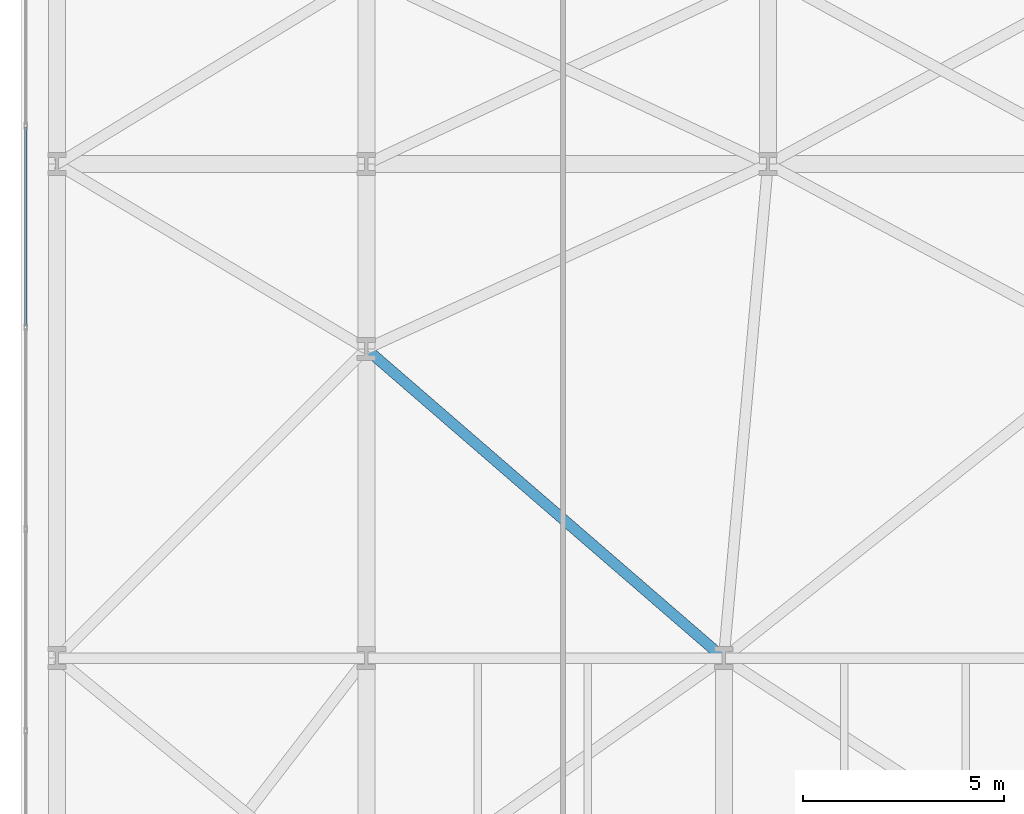
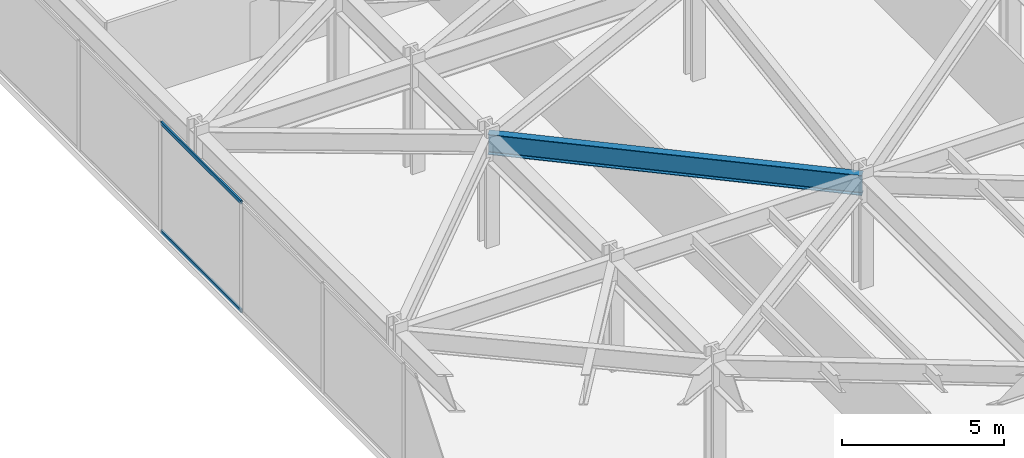
# One storey, part 9 of 30: 2 members, 1 beam, 1 element without a shape of its own.
"""IFC4 building model written with IfcOpenShell, lengths in metres."""

from ifc_helpers import new_model, si_unit, direction, frame, origin, origin_2d, place, context, subcontext, project, spatial, hollow_rectangle, i_section, extrude, material, layer, layer_set, material_profile, profile_set, type_object, element, aggregate, save


model = new_model("IFC4")

# Units and contexts
model_context = context("Model", 3, precision=1e-05, world=origin(), true_north=direction((0.0, 1.0)))
body_context = subcontext(model_context, "Body", "Model", "MODEL_VIEW")
ifc_project = project(units=[si_unit("LENGTHUNIT", "METRE"), si_unit("AREAUNIT", "SQUARE_METRE"), si_unit("VOLUMEUNIT", "CUBIC_METRE"), si_unit("PLANEANGLEUNIT", "RADIAN"), si_unit("MASSUNIT", "GRAM", prefix="KILO")], contexts=[model_context])

# Site, building, storey
site_placement = place(None, origin())
site = spatial("IfcSite", under=ifc_project, at=site_placement, CompositionType="ELEMENT")
building_placement = place(site_placement, origin())
building = spatial("IfcBuilding", under=site, at=building_placement, Name="Kravanh Interchange Tower", CompositionType="ELEMENT")
storey_placement = place(building_placement, frame((0.0, 0.0, 19.800048828125)))
storey = spatial("IfcBuildingStorey", under=building, at=storey_placement, Name="L04", CompositionType="ELEMENT", Elevation=19.800048828125)

# Curtain wall, members
ifc_material_1 = material(Name="Anodised Bronze Aluminium", Category="aluminium")
ifc_layer = layer(ifc_material_1, 0.179931640625)
ifc_layer_set = layer_set([ifc_layer], Name="Unitised Curtain Wall System CW-POD Podium Concourse")
curtain_wall_type = type_object("IfcCurtainWallType", Name="Unitised Curtain Wall System CW-POD Podium Concourse", PredefinedType="NOTDEFINED", material=ifc_layer_set)
curtain_wall_placement = place(storey_placement, origin())
curtain_wall = element("IfcCurtainWall", 1, at=curtain_wall_placement, inside=storey, type_object=curtain_wall_type, Name="L04 Unitised Curtain Wall CW-L04-01", PredefinedType="NOTDEFINED")
ifc_material_2 = material(Name="Anodised Bronze Aluminium", Category="aluminium")
ifc_material_profile_1 = material_profile(ifc_material_2, hollow_rectangle(XDim=0.06005859375, YDim=0.139892578125, WallThickness=0.00390625, at=origin_2d()), Name="ALU60X140X4")
ifc_profile_set_1 = profile_set([ifc_material_profile_1], Name="Anodised Bronze Aluminium")
member_type = type_object("IfcMemberType", Name="Curtain Wall Transom ALU60X140X4 Bronze", PredefinedType="USERDEFINED", material=ifc_profile_set_1)
member_1_placement = place(storey_placement, frame((0.1201171875, 22.7705078125, 0.030029296875), z_axis=(0.0, 1.0, 0.0), x_axis=(-1.0, 0.0, 0.0)))
member_1 = element("IfcMember", 2, at=member_1_placement, type_object=member_type, Name="CW-POD transom 5.1", ObjectType="TRANSOM", PredefinedType="USERDEFINED", context=body_context, shape_type="SweptSolid", body=[
    extrude(hollow_rectangle(XDim=0.06005859375, YDim=0.139892578125, WallThickness=0.00390625, at=origin_2d()), origin(), (0.0, 0.0, 1.0), 4.95166015625),
])
member_2_placement = place(storey_placement, frame((0.1201171875, 22.7705078125, 4.119873046875), z_axis=(0.0, 1.0, 0.0), x_axis=(-1.0, 0.0, 0.0)))
member_2 = element("IfcMember", 3, at=member_2_placement, type_object=member_type, Name="CW-POD transom 5.2", ObjectType="TRANSOM", PredefinedType="USERDEFINED", context=body_context, shape_type="SweptSolid", body=[
    extrude(hollow_rectangle(XDim=0.06005859375, YDim=0.139892578125, WallThickness=0.00390625, at=origin_2d()), origin(), (0.0, 0.0, 1.0), 4.95166015625),
])
aggregate(curtain_wall, [member_1, member_2])

# Beam
ifc_material_3 = material(Name="Structural Steel S355", Category="steel")
ifc_material_profile_2 = material_profile(ifc_material_3, i_section(OverallWidth=0.26708984375, OverallDepth=0.761962890625, WebThickness=0.014404296875, FlangeThickness=0.021484375, FilletRadius=0.02490234375, at=origin_2d()), Name="W30X116")
ifc_profile_set_2 = profile_set([ifc_material_profile_2], Name="Structural Steel S355")
beam_type = type_object("IfcBeamType", Name="Floor Spandrel W30X116 Structural Steel S355", PredefinedType="SPANDREL", material=ifc_profile_set_2)
beam_placement = place(storey_placement, frame((17.5, 14.5, 3.76904296875), z_axis=(-0.756248034465, 0.654285037554, 0.0), x_axis=(-0.654285037554, -0.756248034465, 0.0)))
element("IfcBeam", 4, at=beam_placement, inside=storey, type_object=beam_type, Name="L04 Perimeter Spandrel 42", PredefinedType="SPANDREL", context=body_context, shape_type="SweptSolid", body=[
    extrude(i_section(OverallWidth=0.26708984375, OverallDepth=0.761962890625, WebThickness=0.014404296875, FlangeThickness=0.021484375, FilletRadius=0.02490234375, at=origin_2d()), origin(), (0.0, 0.0, 1.0), 11.7685546875),
])

save(model, "model.ifc")
